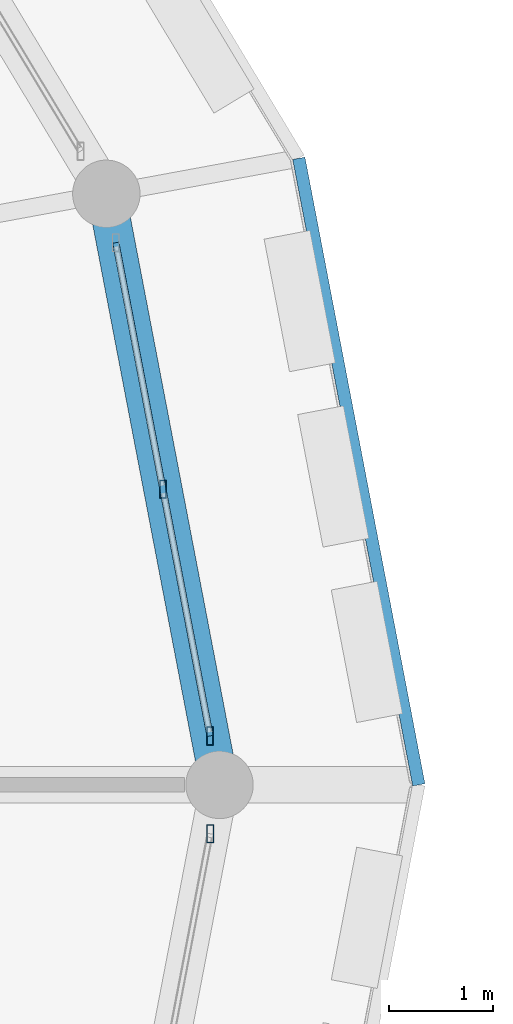
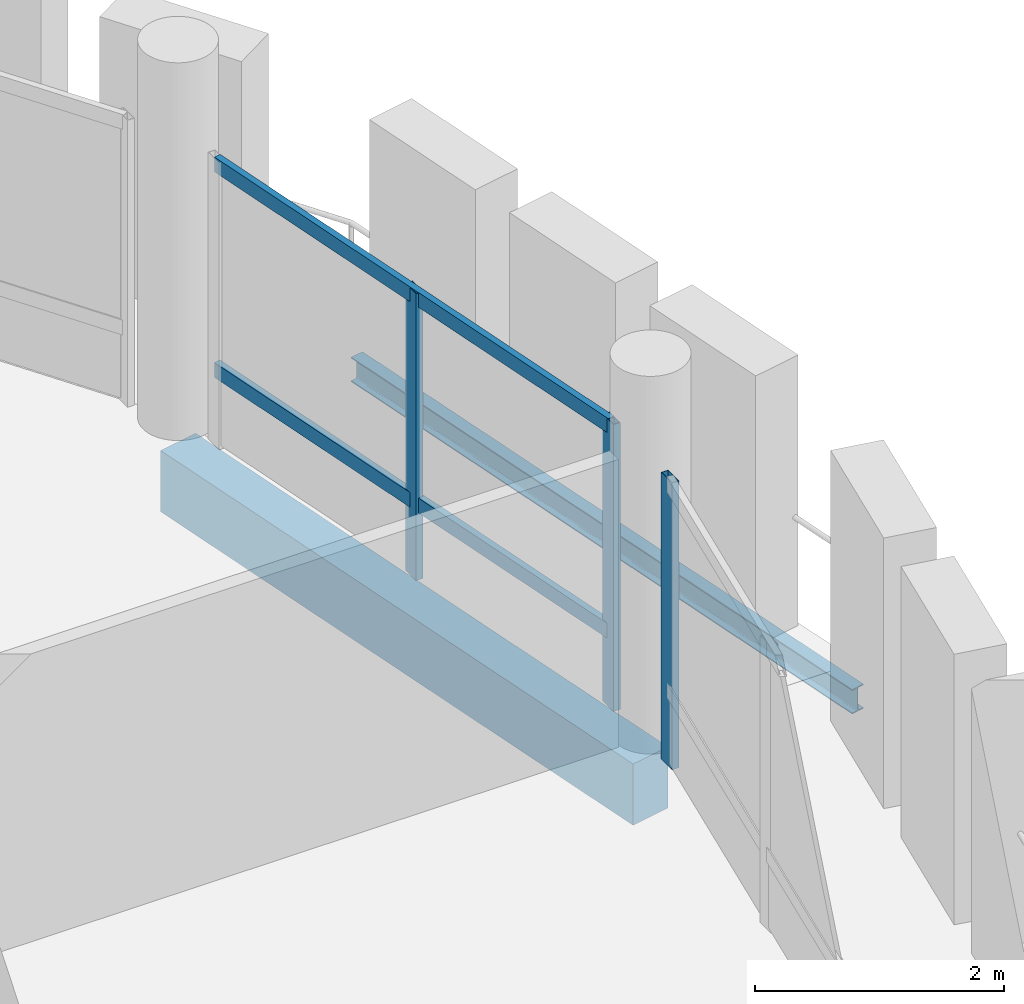
# One storey, part 38 of 84: 5 members, 2 beams, 2 elements without a shape of their own.
"""IFC4 building model written with IfcOpenShell, lengths in metres."""

from ifc_helpers import new_model, si_unit, direction, frame, origin, origin_2d, place, context, subcontext, project, spatial, rectangle, hollow_rectangle, i_section, extrude, material, material_profile, profile_set, type_object, element, aggregate, save


model = new_model("IFC4")

# Units and contexts
model_context = context("Model", 3, precision=1e-05, world=origin(), true_north=direction((0.0, 1.0)))
body_context = subcontext(model_context, "Body", "Model", "MODEL_VIEW")
ifc_project = project(units=[si_unit("LENGTHUNIT", "METRE"), si_unit("AREAUNIT", "SQUARE_METRE"), si_unit("VOLUMEUNIT", "CUBIC_METRE"), si_unit("PLANEANGLEUNIT", "RADIAN"), si_unit("MASSUNIT", "GRAM", prefix="KILO")], contexts=[model_context])

# Site, building, storey
site_placement = place(None, origin())
site = spatial("IfcSite", under=ifc_project, at=site_placement, CompositionType="ELEMENT")
building_placement = place(site_placement, origin())
building = spatial("IfcBuilding", under=site, at=building_placement, Name="Zornivar Specialist Clinic", CompositionType="ELEMENT")
storey_placement = place(building_placement, frame((0.0, 0.0, 12.300048828125)))
storey = spatial("IfcBuildingStorey", under=building, at=storey_placement, Name="L03", CompositionType="ELEMENT", Elevation=12.300048828125)

# Beams
ifc_material_1 = material(Name="Concrete C30/37", Category="concrete")
ifc_material_profile_1 = material_profile(ifc_material_1, rectangle(XDim=0.3701171875, YDim=0.60009765625, at=origin_2d()), Name="RC 370x600")
ifc_profile_set_1 = profile_set([ifc_material_profile_1], Name="Concrete C30/37")
beam_type_1 = type_object("IfcBeamType", Name="BM-RC-SPANDREL-370x600", PredefinedType="SPANDREL", material=ifc_profile_set_1)
beam_1_placement = place(storey_placement, frame((125.60009765625, 57.60009765625, -0.5400390625), z_axis=(-0.188035104441, 0.982162308123, 0.0), x_axis=(-0.982162308123, -0.188035104441, 0.0)))
element("IfcBeam", 1, at=beam_1_placement, inside=storey, type_object=beam_type_1, Name="bm:V1:L03:outring:00", PredefinedType="SPANDREL", context=body_context, shape_type="SweptSolid", body=[
    extrude(rectangle(XDim=0.3701171875, YDim=0.60009765625, at=origin_2d()), origin(), (0.0, 0.0, 1.0), 5.79736328125),
])
ifc_material_2 = material(Name="Steel S355J2", Category="steel")
ifc_material_profile_2 = material_profile(ifc_material_2, i_section(OverallWidth=0.1201171875, OverallDepth=0.239990234375, WebThickness=0.006103515625, FlangeThickness=0.009765625, FilletRadius=0.014892578125, at=origin_2d()), Name="IPE 240")
ifc_profile_set_2 = profile_set([ifc_material_profile_2], Name="Steel S355J2")
beam_type_2 = type_object("IfcBeamType", Name="BM-STL-IPE240", PredefinedType="JOIST", material=ifc_profile_set_2)
beam_2_placement = place(storey_placement, frame((127.52001953125, 57.60009765625, -0.360107421875), z_axis=(-0.188103253611, 0.982149258505, 0.0), x_axis=(-0.982149258505, -0.188103253611, 0.0)))
element("IfcBeam", 2, at=beam_2_placement, inside=storey, type_object=beam_type_2, Name="bm:V1:L03:balring:00", PredefinedType="JOIST", context=body_context, shape_type="SweptSolid", body=[
    extrude(i_section(OverallWidth=0.1201171875, OverallDepth=0.239990234375, WebThickness=0.006103515625, FlangeThickness=0.009765625, FilletRadius=0.014892578125, at=origin_2d()), origin(), (0.0, 0.0, 1.0), 6.1455078125),
])

# Curtain wall, members
ifc_material_3 = material(Name="Aluminium and Low-E Glass Curtain Wall", Category="aluminium")
curtain_wall_type = type_object("IfcCurtainWallType", Name="CW-DRUM-FACET", PredefinedType="NOTDEFINED", material=ifc_material_3)
curtain_wall_1_placement = place(storey_placement, origin())
curtain_wall_1 = element("IfcCurtainWall", 3, at=curtain_wall_1_placement, inside=storey, type_object=curtain_wall_type, Name="cw:V1:L03:c00", PredefinedType="NOTDEFINED")
ifc_material_4 = material(Name="Aluminium AW-6060", Category="aluminium")
ifc_material_profile_3 = material_profile(ifc_material_4, hollow_rectangle(XDim=0.06494140625, YDim=0.175048828125, WallThickness=0.00439453125, at=origin_2d()), Name="ALU 65x175x4.5")
ifc_profile_set_3 = profile_set([ifc_material_profile_3], Name="Aluminium AW-6060")
member_type_1 = type_object("IfcMemberType", Name="CWM-MUL-175", PredefinedType="MULLION", material=ifc_profile_set_3)
member_1_placement = place(storey_placement, frame((125.509033203125, 58.071044921875, 0.0), z_axis=(0.0, 0.0, 1.0), x_axis=(1.0, 0.0, 0.0)))
member_1 = element("IfcMember", 4, at=member_1_placement, type_object=member_type_1, Name="cw:V1:L03:c00:mul:0", PredefinedType="MULLION", context=body_context, shape_type="SweptSolid", body=[
    extrude(hollow_rectangle(XDim=0.06494140625, YDim=0.175048828125, WallThickness=0.00439453125, at=origin_2d()), origin(), (0.0, 0.0, 1.0), 2.81005859375),
])
member_2_placement = place(storey_placement, frame((125.054931640625, 60.447021484375, 0.0), z_axis=(0.0, 0.0, 1.0), x_axis=(1.0, 0.0, 0.0)))
member_2 = element("IfcMember", 5, at=member_2_placement, type_object=member_type_1, Name="cw:V1:L03:c00:mul:1", PredefinedType="MULLION", context=body_context, shape_type="SweptSolid", body=[
    extrude(hollow_rectangle(XDim=0.06494140625, YDim=0.175048828125, WallThickness=0.00439453125, at=origin_2d()), origin(), (0.0, 0.0, 1.0), 2.81005859375),
])

# Curtain wall, member
curtain_wall_2_placement = place(storey_placement, origin())
curtain_wall_2 = element("IfcCurtainWall", 6, at=curtain_wall_2_placement, inside=storey, type_object=curtain_wall_type, Name="cw:V1:L03:c23", PredefinedType="NOTDEFINED")
member_3_placement = place(storey_placement, frame((125.510009765625, 57.12890625, 0.0), z_axis=(0.0, 0.0, 1.0), x_axis=(1.0, 0.0, 0.0)))
member_3 = element("IfcMember", 7, at=member_3_placement, type_object=member_type_1, Name="cw:V1:L03:c23:mul:2", PredefinedType="MULLION", context=body_context, shape_type="SweptSolid", body=[
    extrude(hollow_rectangle(XDim=0.06494140625, YDim=0.175048828125, WallThickness=0.00439453125, at=origin_2d()), origin(), (0.0, 0.0, 1.0), 2.81005859375),
])
aggregate(curtain_wall_2, [member_3])

# Member
ifc_material_5 = material(Name="Aluminium AW-6060", Category="aluminium")
ifc_material_profile_4 = material_profile(ifc_material_5, hollow_rectangle(XDim=0.06005859375, YDim=0.14501953125, WallThickness=0.00390625, at=origin_2d()), Name="ALU 60x145x4")
ifc_profile_set_4 = profile_set([ifc_material_profile_4], Name="Aluminium AW-6060")
member_type_2 = type_object("IfcMemberType", Name="CWM-TRN-145", PredefinedType="USERDEFINED", material=ifc_profile_set_4)
member_4_placement = place(storey_placement, frame((125.509033203125, 58.071044921875, 0.73095703125), z_axis=(-0.18767557324, 0.982231072207, 0.0), x_axis=(-0.982231072207, -0.18767557324, 0.0)))
member_4 = element("IfcMember", 8, at=member_4_placement, type_object=member_type_2, Name="cw:V1:L03:c00:trn:0", ObjectType="TRANSOM", PredefinedType="USERDEFINED", context=body_context, shape_type="SweptSolid", body=[
    extrude(hollow_rectangle(XDim=0.06005859375, YDim=0.14501953125, WallThickness=0.00390625, at=origin_2d()), origin(), (0.0, 0.0, 1.0), 4.837890625),
])

member_5_placement = place(storey_placement, frame((125.509033203125, 58.071044921875, 2.744873046875), z_axis=(-0.18767557324, 0.982231072207, 0.0), x_axis=(-0.982231072207, -0.18767557324, 0.0)))
member_5 = element("IfcMember", 9, at=member_5_placement, type_object=member_type_2, Name="cw:V1:L03:c00:trn:1", ObjectType="TRANSOM", PredefinedType="USERDEFINED", context=body_context, shape_type="SweptSolid", body=[
    extrude(hollow_rectangle(XDim=0.06005859375, YDim=0.14501953125, WallThickness=0.00390625, at=origin_2d()), origin(), (0.0, 0.0, 1.0), 4.837890625),
])

aggregate(curtain_wall_1, [member_1, member_2, member_4, member_5])

save(model, "model.ifc")
